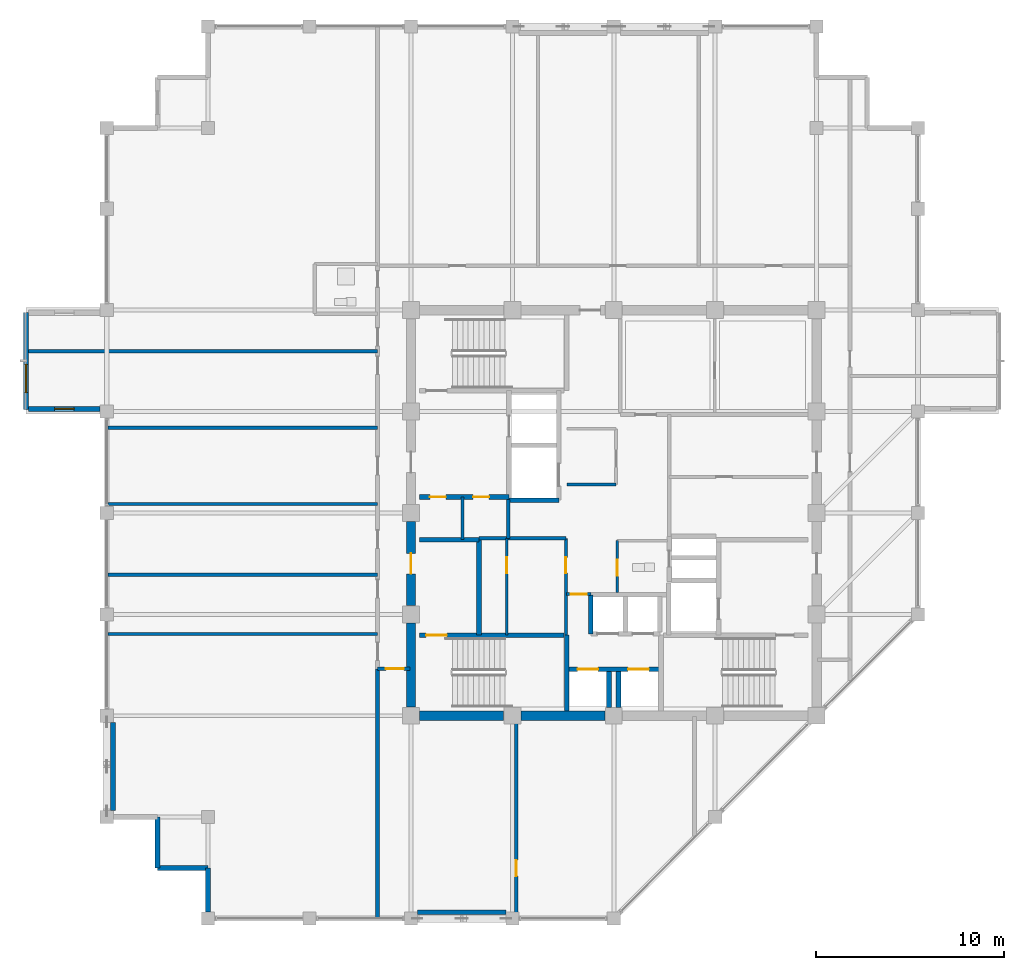
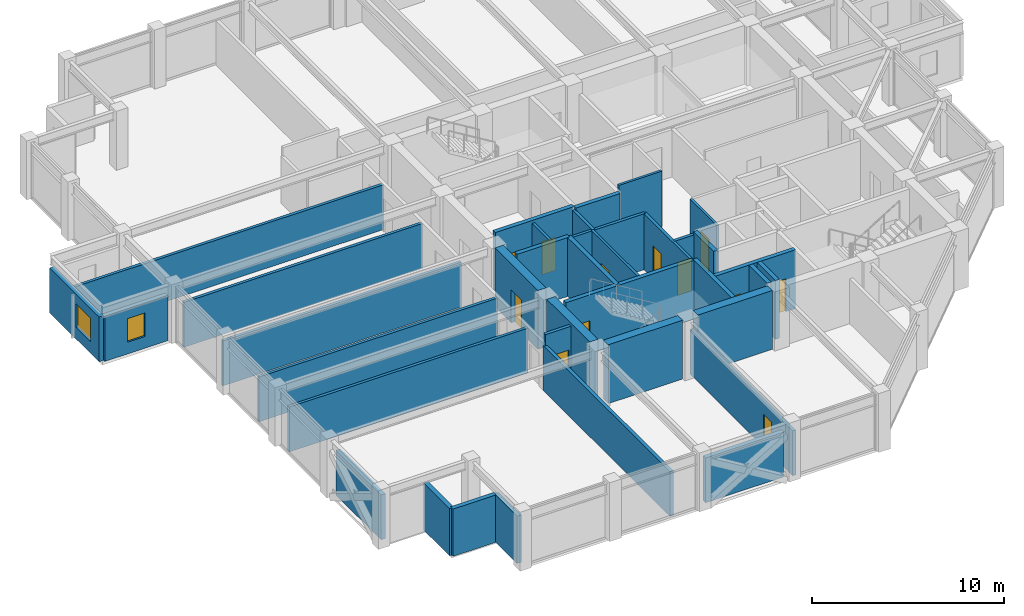
# One storey, part 25 of 31: 37 walls, 12 doors, 2 windows, 14 openings.
"""IFC4 building model written with IfcOpenShell, lengths in metres."""

from ifc_helpers import new_model, si_unit, direction, frame, frame_2d, origin, place, context, subcontext, project, spatial, rectangle, extrude, material, layer, layer_set, type_object, element, fill, save


model = new_model("IFC4")

# Units and contexts
model_context = context("Model", 3, precision=1e-05, world=origin(), true_north=direction((0.0, 1.0)))
body_context = subcontext(model_context, "Body", "Model", "MODEL_VIEW")
ifc_project = project(units=[si_unit("LENGTHUNIT", "METRE"), si_unit("AREAUNIT", "SQUARE_METRE"), si_unit("VOLUMEUNIT", "CUBIC_METRE"), si_unit("PLANEANGLEUNIT", "RADIAN"), si_unit("MASSUNIT", "GRAM", prefix="KILO")], contexts=[model_context])

# Site, building, storey
site_placement = place(None, origin())
site = spatial("IfcSite", under=ifc_project, at=site_placement, CompositionType="ELEMENT")
building_placement = place(site_placement, origin())
building = spatial("IfcBuilding", under=site, at=building_placement, Name="Surkhivell Harbour Commons", CompositionType="ELEMENT")
storey_placement = place(building_placement, frame((0.0, 0.0, 262.5)))
storey = spatial("IfcBuildingStorey", under=building, at=storey_placement, Name="L68", CompositionType="ELEMENT", Elevation=262.5)

# Walls
ifc_material_1 = material(Name="Concrete C50/60", Category="concrete")
ifc_layer_1 = layer(ifc_material_1, 0.5)
ifc_layer_set_1 = layer_set([ifc_layer_1], Name="Concrete C50/60")
wall_type_1 = type_object("IfcWallType", Name="WAL-CORE-500", PredefinedType="SHEAR", material=ifc_layer_set_1)
for number, where, z_axis, x_axis, name in (
    (1, (-10.340087890625, -10.800048828125, 0.0), (0.0, 0.0, 1.0), (1.0, 0.0, 0.0), "L68 Core Shear Wall South 1"),
    (2, (-10.800048828125, -10.340087890625, 0.0), (0.0, 0.0, 1.0), (0.0, 1.0, 0.0), "L68 Core Shear Wall West 1"),
    (3, (-4.93994140625, -10.800048828125, 0.0), (0.0, 0.0, 1.0), (1.0, 0.0, 0.0), "L68 Core Shear Wall South 2"),
):
    element("IfcWall", number, at=place(storey_placement, frame(where, z_axis=z_axis, x_axis=x_axis)), inside=storey, type_object=wall_type_1, Name=name, PredefinedType="SHEAR", context=body_context, shape_type="SweptSolid", body=[
        extrude(rectangle(XDim=4.47998046875, YDim=0.5, at=frame_2d((2.239990234375, 0.0))), origin(), (0.0, 0.0, 1.0), 3.75),
    ])

# Wall, opening, door
wall_1_placement = place(storey_placement, frame((-10.800048828125, -4.93994140625, 0.0), z_axis=(0.0, 0.0, 1.0), x_axis=(0.0, 1.0, 0.0)))
wall_1 = element("IfcWall", 4, at=wall_1_placement, inside=storey, type_object=wall_type_1, Name="L68 Core Shear Wall West 2", PredefinedType="SHEAR", context=body_context, shape_type="SweptSolid", body=[
    extrude(rectangle(XDim=4.47998046875, YDim=0.5, at=frame_2d((2.239990234375, 0.0))), origin(), (0.0, 0.0, 1.0), 3.75),
])
opening_1_placement = place(wall_1_placement, frame((1.68994140625, 0.0, 0.0)))
opening_1 = element("IfcOpeningElement", 5, at=opening_1_placement, cuts=wall_1, Name="Opening ID-2", PredefinedType="OPENING", context=body_context, shape_type="SweptSolid", body=[
    extrude(rectangle(XDim=1.10009765625, YDim=2.10009765625, at=frame_2d((0.550048828125, 1.050048828125))), frame((0.0, 0.260009765625, 0.0), z_axis=(0.0, -1.0, 0.0), x_axis=(1.0, 0.0, 0.0)), (0.0, 0.0, 1.0), 0.52001953125),
])
ifc_material_2 = material(Name="Hardwood-veneered fire-rated door leaf", Category="wood")
door_type_1 = type_object("IfcDoorType", Name="DOR-FD60-1100", OperationType="NOTDEFINED", PredefinedType="DOOR", material=ifc_material_2)
door_1_placement = place(opening_1_placement, origin())
door_1 = element("IfcDoor", 6, at=door_1_placement, inside=storey, type_object=door_type_1, Name="L68 Stair 3 Lobby Corridor Door", OperationType="SINGLE_SWING_LEFT", OverallHeight=2.10009765625, OverallWidth=1.10009765625, PredefinedType="DOOR", context=body_context, shape_type="SweptSolid", body=[
    extrude(rectangle(XDim=1.10009765625, YDim=2.10009765625, at=frame_2d((0.550048828125, 1.050048828125))), frame((0.0, 0.02490234375, 0.0), z_axis=(0.0, -1.0, 0.0), x_axis=(1.0, 0.0, 0.0)), (0.0, 0.0, 1.0), 0.050048828125),
])
fill(opening_1, door_1)

# Walls
ifc_material_3 = material(Name="Pale-metal insulated precast concrete C45/55", Category="concrete")
ifc_layer_2 = layer(ifc_material_3, 0.260009765625)
ifc_layer_set_2 = layer_set([ifc_layer_2], Name="Pale-metal insulated precast concrete C45/55")
wall_type_2 = type_object("IfcWallType", Name="WAL-EXT-MTL260", PredefinedType="STANDARD", material=ifc_layer_set_2)
wall_2_placement = place(storey_placement, frame((-10.451904296875, -21.264892578125, 0.0), z_axis=(0.0, 0.0, 1.0), x_axis=(1.0, 0.0, 0.0)))
element("IfcWall", 7, at=wall_2_placement, inside=storey, type_object=wall_type_2, Name="L68 Braced-Bay Insulated Spandrel Backing S", PredefinedType="STANDARD", context=body_context, shape_type="SweptSolid", body=[
    extrude(rectangle(XDim=4.703857421875, YDim=0.260009765625, at=frame_2d((2.35205078125, 0.0))), origin(), (0.0, 0.0, 1.0), 2.85693359375),
])
wall_3_placement = place(storey_placement, frame((-26.6650390625, -15.85205078125, 0.0), z_axis=(0.0, 0.0, 1.0), x_axis=(0.0, 1.0, 0.0)))
element("IfcWall", 8, at=wall_3_placement, inside=storey, type_object=wall_type_2, Name="L68 Braced-Bay Insulated Spandrel Backing W", PredefinedType="STANDARD", context=body_context, shape_type="SweptSolid", body=[
    extrude(rectangle(XDim=4.7041015625, YDim=0.260009765625, at=frame_2d((2.35205078125, 0.0))), origin(), (0.0, 0.0, 1.0), 2.85693359375),
])
for number, where, z_axis, x_axis, name in (
    (9, (-24.300048828125, -16.199951171875, 0.0), (0.0, 0.0, 1.0), (0.0, -1.0, 0.0), "L68 Serrated Corner Facade Wall 14"),
    (10, (-24.300048828125, -18.89990234375, 0.0), (0.0, 0.0, 1.0), (1.0, 0.0, 0.0), "L68 Serrated Corner Facade Wall 15"),
):
    element("IfcWall", number, at=place(storey_placement, frame(where, z_axis=z_axis, x_axis=x_axis)), inside=storey, type_object=wall_type_2, Name=name, PredefinedType="STANDARD", context=body_context, shape_type="SweptSolid", body=[
        extrude(rectangle(XDim=2.699951171875, YDim=0.260009765625, at=frame_2d((1.35009765625, 0.0))), origin(), (0.0, 0.0, 1.0), 3.012939453125),
    ])
wall_4_placement = place(storey_placement, frame((-21.60009765625, -18.89990234375, 0.0), z_axis=(0.0, 0.0, 1.0), x_axis=(0.0, -1.0, 0.0)))
element("IfcWall", 11, at=wall_4_placement, inside=storey, type_object=wall_type_2, Name="L68 Serrated Corner Facade Wall 16", PredefinedType="STANDARD", context=body_context, shape_type="SweptSolid", body=[
    extrude(rectangle(XDim=2.35205078125, YDim=0.260009765625, at=frame_2d((1.176025390625, 0.0))), origin(), (0.0, 0.0, 1.0), 3.012939453125),
])

# Wall, opening, window
ifc_material_4 = material(Name="Terracotta-clad reinforced concrete C45/55", Category="masonry")
ifc_layer_3 = layer(ifc_material_4, 0.280029296875)
ifc_layer_set_3 = layer_set([ifc_layer_3], Name="Terracotta-clad reinforced concrete C45/55")
wall_type_3 = type_object("IfcWallType", Name="WAL-EXT-TER280", PredefinedType="STANDARD", material=ifc_layer_set_3)
wall_5_placement = place(storey_placement, frame((-31.300048828125, 10.679931640625, 0.0), z_axis=(0.0, 0.0, 1.0), x_axis=(0.0, -1.0, 0.0)))
wall_5 = element("IfcWall", 12, at=wall_5_placement, inside=storey, type_object=wall_type_3, Name="L68 Coloured Box Front Wall 02", PredefinedType="STANDARD", context=body_context, shape_type="SweptSolid", body=[
    extrude(rectangle(XDim=5.159912109375, YDim=0.280029296875, at=frame_2d((2.580078125, 0.0))), origin(), (0.0, 0.0, 1.0), 2.85693359375),
])
opening_2_placement = place(wall_5_placement, frame((2.77490234375, 0.0, 0.75)))
opening_2 = element("IfcOpeningElement", 13, at=opening_2_placement, cuts=wall_5, Name="Opening WN-13", PredefinedType="OPENING", context=body_context, shape_type="SweptSolid", body=[
    extrude(rectangle(XDim=1.5, YDim=1.5, at=frame_2d((0.75, 0.75))), frame((0.0, 0.14990234375, 0.0), z_axis=(0.0, -1.0, 0.0), x_axis=(1.0, 0.0, 0.0)), (0.0, 0.0, 1.0), 0.300048828125),
])
ifc_material_5 = material(Name="Thermal-break aluminium frame and double low-E glazing", Category="aluminium")
window_type_1 = type_object("IfcWindowType", Name="WIN-BOX-1500x1500", PartitioningType="SINGLE_PANEL", PredefinedType="WINDOW", material=ifc_material_5)
window_1_placement = place(opening_2_placement, origin())
window_1 = element("IfcWindow", 14, at=window_1_placement, inside=storey, type_object=window_type_1, Name="L68 Coloured Box Square Window 02-1", OverallHeight=1.5, OverallWidth=1.5, PartitioningType="SINGLE_PANEL", PredefinedType="WINDOW", context=body_context, shape_type="SweptSolid", body=[
    extrude(rectangle(XDim=1.5, YDim=1.5, at=frame_2d((0.75, 0.75))), frame((0.0, 0.030029296875, 0.0), z_axis=(0.0, -1.0, 0.0), x_axis=(1.0, 0.0, 0.0)), (0.0, 0.0, 1.0), 0.06005859375),
])
fill(opening_2, window_1)

wall_6_placement = place(storey_placement, frame((-31.159912109375, 5.5400390625, 0.0), z_axis=(0.0, 0.0, 1.0), x_axis=(1.0, 0.0, 0.0)))
wall_6 = element("IfcWall", 15, at=wall_6_placement, inside=storey, type_object=wall_type_3, Name="L68 Coloured Box Return Wall 02S", PredefinedType="STANDARD", context=body_context, shape_type="SweptSolid", body=[
    extrude(rectangle(XDim=3.805908203125, YDim=0.280029296875, at=frame_2d((1.90283203125, 0.0))), origin(), (0.0, 0.0, 1.0), 2.85693359375),
])
opening_3_placement = place(wall_6_placement, frame((1.3779296875, 0.0, 0.75)))
opening_3 = element("IfcOpeningElement", 16, at=opening_3_placement, cuts=wall_6, Name="Opening WN-11", PredefinedType="OPENING", context=body_context, shape_type="SweptSolid", body=[
    extrude(rectangle(XDim=1.050048828125, YDim=1.5, at=frame_2d((0.52490234375, 0.75))), frame((0.0, 0.14990234375, 0.0), z_axis=(0.0, -1.0, 0.0), x_axis=(1.0, 0.0, 0.0)), (0.0, 0.0, 1.0), 0.300048828125),
])
window_type_2 = type_object("IfcWindowType", Name="WIN-SER-1050x1500", PartitioningType="SINGLE_PANEL", PredefinedType="WINDOW", material=ifc_material_5)
window_2_placement = place(opening_3_placement, origin())
window_2 = element("IfcWindow", 17, at=window_2_placement, inside=storey, type_object=window_type_2, Name="L68 Coloured Box Return Window 02S", OverallHeight=1.5, OverallWidth=1.050048828125, PartitioningType="SINGLE_PANEL", PredefinedType="WINDOW", context=body_context, shape_type="SweptSolid", body=[
    extrude(rectangle(XDim=1.050048828125, YDim=1.5, at=frame_2d((0.52490234375, 0.75))), frame((0.0, 0.030029296875, 0.0), z_axis=(0.0, -1.0, 0.0), x_axis=(1.0, 0.0, 0.0)), (0.0, 0.0, 1.0), 0.06005859375),
])
fill(opening_3, window_2)

# Wall, opening, door
ifc_material_6 = material(Name="Twin-stud acoustic fireboard partition", Category="other")
ifc_layer_4 = layer(ifc_material_6, 0.14990234375)
ifc_layer_set_4 = layer_set([ifc_layer_4], Name="Twin-stud acoustic fireboard partition")
wall_type_4 = type_object("IfcWallType", Name="WAL-INT-150", PredefinedType="PARTITIONING", material=ifc_layer_set_4)
wall_7_placement = place(storey_placement, frame((0.179931640625, -4.25, 0.0), z_axis=(0.0, 0.0, 1.0), x_axis=(0.0, 1.0, 0.0)))
wall_7 = element("IfcWall", 18, at=wall_7_placement, inside=storey, type_object=wall_type_4, Name="L68 Core Accessible WC West Wall", PredefinedType="PARTITIONING", context=body_context, shape_type="SweptSolid", body=[
    extrude(rectangle(XDim=2.77001953125, YDim=0.14990234375, at=frame_2d((1.385009765625, 0.0))), origin(), (0.0, 0.0, 1.0), 3.570068359375),
])
opening_4_placement = place(wall_7_placement, frame((0.89990234375, 0.0, 0.0)))
opening_4 = element("IfcOpeningElement", 19, at=opening_4_placement, cuts=wall_7, Name="Opening ID-6", PredefinedType="OPENING", context=body_context, shape_type="SweptSolid", body=[
    extrude(rectangle(XDim=0.85009765625, YDim=2.10009765625, at=frame_2d((0.425048828125, 1.050048828125))), frame((0.0, 0.0849609375, 0.0), z_axis=(0.0, -1.0, 0.0), x_axis=(1.0, 0.0, 0.0)), (0.0, 0.0, 1.0), 0.169921875),
])
door_type_2 = type_object("IfcDoorType", Name="DOR-FD30-850", OperationType="NOTDEFINED", PredefinedType="DOOR", material=ifc_material_2)
door_2_placement = place(opening_4_placement, origin())
door_2 = element("IfcDoor", 20, at=door_2_placement, inside=storey, type_object=door_type_2, Name="L68 Floor Accessible WC Door", OperationType="SINGLE_SWING_LEFT", OverallHeight=2.10009765625, OverallWidth=0.85009765625, PredefinedType="DOOR", context=body_context, shape_type="SweptSolid", body=[
    extrude(rectangle(XDim=0.85009765625, YDim=2.10009765625, at=frame_2d((0.425048828125, 1.050048828125))), frame((0.0, 0.02490234375, 0.0), z_axis=(0.0, -1.0, 0.0), x_axis=(1.0, 0.0, 0.0)), (0.0, 0.0, 1.0), 0.050048828125),
])
fill(opening_4, door_2)

wall_8_placement = place(storey_placement, frame((-5.699951171875, -6.510009765625, 0.0), z_axis=(0.0, 0.0, 1.0), x_axis=(0.0, 1.0, 0.0)))
wall_8 = element("IfcWall", 21, at=wall_8_placement, inside=storey, type_object=wall_type_4, Name="L68 Core Cut B Partition", PredefinedType="PARTITIONING", context=body_context, shape_type="SweptSolid", body=[
    extrude(rectangle(XDim=5.159912109375, YDim=0.14990234375, at=frame_2d((2.580078125, 0.0))), origin(), (0.0, 0.0, 1.0), 3.570068359375),
])
opening_5_placement = place(wall_8_placement, frame((3.300048828125, 0.0, 0.0)))
opening_5 = element("IfcOpeningElement", 22, at=opening_5_placement, cuts=wall_8, Name="Opening ID-6", PredefinedType="OPENING", context=body_context, shape_type="SweptSolid", body=[
    extrude(rectangle(XDim=0.85009765625, YDim=2.10009765625, at=frame_2d((0.425048828125, 1.050048828125))), frame((0.0, 0.0849609375, 0.0), z_axis=(0.0, -1.0, 0.0), x_axis=(1.0, 0.0, 0.0)), (0.0, 0.0, 1.0), 0.169921875),
])
door_3_placement = place(opening_5_placement, origin())
door_3 = element("IfcDoor", 23, at=door_3_placement, inside=storey, type_object=door_type_2, Name="L68 Core Focus Study Door", OperationType="SINGLE_SWING_RIGHT", OverallHeight=2.10009765625, OverallWidth=0.85009765625, PredefinedType="DOOR", context=body_context, shape_type="SweptSolid", body=[
    extrude(rectangle(XDim=0.85009765625, YDim=2.10009765625, at=frame_2d((0.425048828125, 1.050048828125))), frame((0.0, 0.02490234375, 0.0), z_axis=(0.0, -1.0, 0.0), x_axis=(1.0, 0.0, 0.0)), (0.0, 0.0, 1.0), 0.050048828125),
])
fill(opening_5, door_3)

# Walls
wall_9_placement = place(storey_placement, frame((-8.050048828125, -1.419921875, 0.0), z_axis=(0.0, 0.0, 1.0), x_axis=(0.0, 1.0, 0.0)))
element("IfcWall", 24, at=wall_9_placement, inside=storey, type_object=wall_type_4, Name="L68 West Seminar Booth Divider", PredefinedType="PARTITIONING", context=body_context, shape_type="SweptSolid", body=[
    extrude(rectangle(XDim=2.27001953125, YDim=0.14990234375, at=frame_2d((1.135009765625, 0.0))), origin(), (0.0, 0.0, 1.0), 3.570068359375),
])
wall_10_placement = place(storey_placement, frame((-2.47998046875, 1.52001953125, 0.0), z_axis=(0.0, 0.0, 1.0), x_axis=(1.0, 0.0, 0.0)))
element("IfcWall", 25, at=wall_10_placement, inside=storey, type_object=wall_type_4, Name="L68 Central Reading South Wall", PredefinedType="PARTITIONING", context=body_context, shape_type="SweptSolid", body=[
    extrude(rectangle(XDim=2.60009765625, YDim=0.14990234375, at=frame_2d((1.300048828125, 0.0))), origin(), (0.0, 0.0, 1.0), 3.570068359375),
])

# Wall, opening, door
ifc_material_7 = material(Name="High-density acoustic blockwork fire partition", Category="masonry")
ifc_layer_5 = layer(ifc_material_7, 0.175048828125)
ifc_layer_set_5 = layer_set([ifc_layer_5], Name="High-density acoustic blockwork fire partition")
wall_type_5 = type_object("IfcWallType", Name="WAL-INT-175", PredefinedType="PARTITIONING", material=ifc_layer_set_5)
wall_11_placement = place(storey_placement, frame((-2.550048828125, -6.510009765625, 0.0), z_axis=(0.0, 0.0, 1.0), x_axis=(0.0, 1.0, 0.0)))
wall_11 = element("IfcWall", 26, at=wall_11_placement, inside=storey, type_object=wall_type_5, Name="L68 Core Service Bay East Wall", PredefinedType="PARTITIONING", context=body_context, shape_type="SweptSolid", body=[
    extrude(rectangle(XDim=5.159912109375, YDim=0.175048828125, at=frame_2d((2.580078125, 0.0))), origin(), (0.0, 0.0, 1.0), 3.570068359375),
])
opening_6_placement = place(wall_11_placement, frame((3.300048828125, 0.0, 0.0)))
opening_6 = element("IfcOpeningElement", 27, at=opening_6_placement, cuts=wall_11, Name="Opening ID-6", PredefinedType="OPENING", context=body_context, shape_type="SweptSolid", body=[
    extrude(rectangle(XDim=0.85009765625, YDim=2.10009765625, at=frame_2d((0.425048828125, 1.050048828125))), frame((0.0, 0.097412109375, 0.0), z_axis=(0.0, -1.0, 0.0), x_axis=(1.0, 0.0, 0.0)), (0.0, 0.0, 1.0), 0.195068359375),
])
door_4_placement = place(opening_6_placement, origin())
door_4 = element("IfcDoor", 28, at=door_4_placement, inside=storey, type_object=door_type_2, Name="L68 Core Music Door", OperationType="SINGLE_SWING_LEFT", OverallHeight=2.10009765625, OverallWidth=0.85009765625, PredefinedType="DOOR", context=body_context, shape_type="SweptSolid", body=[
    extrude(rectangle(XDim=0.85009765625, YDim=2.10009765625, at=frame_2d((0.425048828125, 1.050048828125))), frame((0.0, 0.02490234375, 0.0), z_axis=(0.0, -1.0, 0.0), x_axis=(1.0, 0.0, 0.0)), (0.0, 0.0, 1.0), 0.050048828125),
])
fill(opening_6, door_4)

# Walls
wall_12_placement = place(storey_placement, frame((-7.179931640625, -1.35009765625, 0.0), z_axis=(0.0, 0.0, 1.0), x_axis=(1.0, 0.0, 0.0)))
element("IfcWall", 29, at=wall_12_placement, inside=storey, type_object=wall_type_5, Name="L68 Core Service Bay North Wall", PredefinedType="PARTITIONING", context=body_context, shape_type="SweptSolid", body=[
    extrude(rectangle(XDim=4.6298828125, YDim=0.175048828125, at=frame_2d((2.31494140625, 0.0))), origin(), (0.0, 0.0, 1.0), 3.570068359375),
])
wall_13_placement = place(storey_placement, frame((-5.6201171875, -1.35009765625, 0.0), z_axis=(0.0, 0.0, 1.0), x_axis=(0.0, 1.0, 0.0)))
element("IfcWall", 30, at=wall_13_placement, inside=storey, type_object=wall_type_5, Name="L68 West Core Bay East Wall", PredefinedType="PARTITIONING", context=body_context, shape_type="SweptSolid", body=[
    extrude(rectangle(XDim=2.070068359375, YDim=0.175048828125, at=frame_2d((1.03515625, 0.0))), origin(), (0.0, 0.0, 1.0), 3.570068359375),
])

# Wall, opening, door
wall_14_placement = place(storey_placement, frame((-2.52001953125, -4.320068359375, 0.0), z_axis=(0.0, 0.0, 1.0), x_axis=(1.0, 0.0, 0.0)))
wall_14 = element("IfcWall", 31, at=wall_14_placement, inside=storey, type_object=wall_type_5, Name="L68 High-Rise Lobby North Portal Wall", PredefinedType="PARTITIONING", context=body_context, shape_type="SweptSolid", body=[
    extrude(rectangle(XDim=1.300048828125, YDim=0.175048828125, at=frame_2d((0.64990234375, 0.0))), origin(), (0.0, 0.0, 1.0), 3.570068359375),
])
opening_7_placement = place(wall_14_placement, frame((0.219970703125, 0.0, 0.0)))
opening_7 = element("IfcOpeningElement", 32, at=opening_7_placement, cuts=wall_14, Name="Opening ID-6", PredefinedType="OPENING", context=body_context, shape_type="SweptSolid", body=[
    extrude(rectangle(XDim=0.85009765625, YDim=2.10009765625, at=frame_2d((0.425048828125, 1.050048828125))), frame((0.0, 0.097412109375, 0.0), z_axis=(0.0, -1.0, 0.0), x_axis=(1.0, 0.0, 0.0)), (0.0, 0.0, 1.0), 0.195068359375),
])
door_5_placement = place(opening_7_placement, origin())
door_5 = element("IfcDoor", 33, at=door_5_placement, inside=storey, type_object=door_type_2, Name="L68 High-Rise Lift Lobby North Door", OperationType="SINGLE_SWING_LEFT", OverallHeight=2.10009765625, OverallWidth=0.85009765625, PredefinedType="DOOR", context=body_context, shape_type="SweptSolid", body=[
    extrude(rectangle(XDim=0.85009765625, YDim=2.10009765625, at=frame_2d((0.425048828125, 1.050048828125))), frame((0.0, 0.02490234375, 0.0), z_axis=(0.0, -1.0, 0.0), x_axis=(1.0, 0.0, 0.0)), (0.0, 0.0, 1.0), 0.050048828125),
])
fill(opening_7, door_5)

# Walls
for number, where, z_axis, x_axis, name in (
    (34, (-26.93994140625, -3.2900390625, 0.0), (0.0, 0.0, 1.0), (1.0, 0.0, 0.0), "L68 West Partition BDP1"),
    (35, (-26.93994140625, 0.47998046875, 0.0), (0.0, 0.0, 1.0), (1.0, 0.0, 0.0), "L68 West Partition BDP2"),
    (36, (-26.93994140625, 4.5400390625, 0.0), (0.0, 0.0, 1.0), (1.0, 0.0, 0.0), "L68 West Partition BDP3"),
    (37, (-26.93994140625, -6.449951171875, 0.0), (0.0, 0.0, 1.0), (1.0, 0.0, 0.0), "L68 West Partition PBOT"),
):
    element("IfcWall", number, at=place(storey_placement, frame(where, z_axis=z_axis, x_axis=x_axis)), inside=storey, type_object=wall_type_5, Name=name, PredefinedType="PARTITIONING", context=body_context, shape_type="SweptSolid", body=[
        extrude(rectangle(XDim=14.35986328125, YDim=0.175048828125, at=frame_2d((7.179931640625, 0.0))), origin(), (0.0, 0.0, 1.0), 2.85693359375),
    ])
wall_15_placement = place(storey_placement, frame((-31.239990234375, 8.610107421875, 0.0), z_axis=(0.0, 0.0, 1.0), x_axis=(1.0, 0.0, 0.0)))
element("IfcWall", 38, at=wall_15_placement, inside=storey, type_object=wall_type_5, Name="L68 West Partition PTOP", PredefinedType="PARTITIONING", context=body_context, shape_type="SweptSolid", body=[
    extrude(rectangle(XDim=18.659912109375, YDim=0.175048828125, at=frame_2d((9.330078125, 0.0))), origin(), (0.0, 0.0, 1.0), 2.85693359375),
])

# Wall, opening, door
ifc_material_8 = material(Name="Autoclaved aerated concrete blockwork and fire plaster", Category="masonry")
ifc_layer_6 = layer(ifc_material_8, 0.199951171875)
ifc_layer_set_6 = layer_set([ifc_layer_6], Name="Autoclaved aerated concrete blockwork and fire plaster")
wall_type_6 = type_object("IfcWallType", Name="WAL-INT-200", PredefinedType="PARTITIONING", material=ifc_layer_set_6)
wall_16_placement = place(storey_placement, frame((-5.199951171875, -21.5400390625, 0.0), z_axis=(0.0, 0.0, 1.0), x_axis=(0.0, 1.0, 0.0)))
wall_16 = element("IfcWall", 39, at=wall_16_placement, inside=storey, type_object=wall_type_6, Name="L68 South Wing Mid Partition", PredefinedType="PARTITIONING", context=body_context, shape_type="SweptSolid", body=[
    extrude(rectangle(XDim=10.68994140625, YDim=0.199951171875, at=frame_2d((5.344970703125, 0.0))), origin(), (0.0, 0.0, 1.0), 2.85693359375),
])
opening_8_placement = place(wall_16_placement, frame((2.199951171875, 0.0, 0.0)))
opening_8 = element("IfcOpeningElement", 40, at=opening_8_placement, cuts=wall_16, Name="Opening ID-6", PredefinedType="OPENING", context=body_context, shape_type="SweptSolid", body=[
    extrude(rectangle(XDim=0.85009765625, YDim=2.10009765625, at=frame_2d((0.425048828125, 1.050048828125))), frame((0.0, 0.10986328125, 0.0), z_axis=(0.0, -1.0, 0.0), x_axis=(1.0, 0.0, 0.0)), (0.0, 0.0, 1.0), 0.219970703125),
])
door_6_placement = place(opening_8_placement, origin())
door_6 = element("IfcDoor", 41, at=door_6_placement, inside=storey, type_object=door_type_2, Name="L68 South Seminar Door", OperationType="SINGLE_SWING_LEFT", OverallHeight=2.10009765625, OverallWidth=0.85009765625, PredefinedType="DOOR", context=body_context, shape_type="SweptSolid", body=[
    extrude(rectangle(XDim=0.85009765625, YDim=2.10009765625, at=frame_2d((0.425048828125, 1.050048828125))), frame((0.0, 0.02490234375, 0.0), z_axis=(0.0, -1.0, 0.0), x_axis=(1.0, 0.0, 0.0)), (0.0, 0.0, 1.0), 0.050048828125),
])
fill(opening_8, door_6)

# Wall
wall_17_placement = place(storey_placement, frame((-12.580078125, -21.5400390625, 0.0), z_axis=(0.0, 0.0, 1.0), x_axis=(0.0, 1.0, 0.0)))
element("IfcWall", 42, at=wall_17_placement, inside=storey, type_object=wall_type_6, Name="L68 South Hall West Divider", PredefinedType="PARTITIONING", context=body_context, shape_type="SweptSolid", body=[
    extrude(rectangle(XDim=13.239990234375, YDim=0.199951171875, at=frame_2d((6.6201171875, 0.0))), origin(), (0.0, 0.0, 1.0), 2.85693359375),
])

# Wall, opening, door
wall_18_placement = place(storey_placement, frame((-12.580078125, -8.300048828125, 0.0), z_axis=(0.0, 0.0, 1.0), x_axis=(1.0, 0.0, 0.0)))
wall_18 = element("IfcWall", 43, at=wall_18_placement, inside=storey, type_object=wall_type_6, Name="L68 West Corridor South Portal Wall", PredefinedType="PARTITIONING", context=body_context, shape_type="SweptSolid", body=[
    extrude(rectangle(XDim=1.72998046875, YDim=0.199951171875, at=frame_2d((0.864990234375, 0.0))), origin(), (0.0, 0.0, 1.0), 3.570068359375),
])
opening_9_placement = place(wall_18_placement, frame((0.449951171875, 0.0, 0.0)))
opening_9 = element("IfcOpeningElement", 44, at=opening_9_placement, cuts=wall_18, Name="Opening ID-4", PredefinedType="OPENING", context=body_context, shape_type="SweptSolid", body=[
    extrude(rectangle(XDim=0.949951171875, YDim=2.10009765625, at=frame_2d((0.47509765625, 1.050048828125))), frame((0.0, 0.10986328125, 0.0), z_axis=(0.0, -1.0, 0.0), x_axis=(1.0, 0.0, 0.0)), (0.0, 0.0, 1.0), 0.219970703125),
])
door_type_3 = type_object("IfcDoorType", Name="DOR-FD60-950", OperationType="NOTDEFINED", PredefinedType="DOOR", material=ifc_material_2)
door_7_placement = place(opening_9_placement, origin())
door_7 = element("IfcDoor", 45, at=door_7_placement, inside=storey, type_object=door_type_3, Name="L68 South Lounge Door", OperationType="SINGLE_SWING_RIGHT", OverallHeight=2.10009765625, OverallWidth=0.949951171875, PredefinedType="DOOR", context=body_context, shape_type="SweptSolid", body=[
    extrude(rectangle(XDim=0.949951171875, YDim=2.10009765625, at=frame_2d((0.47509765625, 1.050048828125))), frame((0.0, 0.02490234375, 0.0), z_axis=(0.0, -1.0, 0.0), x_axis=(1.0, 0.0, 0.0)), (0.0, 0.0, 1.0), 0.050048828125),
])
fill(opening_9, door_7)

# Wall, openings, doors
ifc_layer_7 = layer(ifc_material_1, 0.25)
ifc_layer_set_7 = layer_set([ifc_layer_7], Name="Concrete C50/60")
wall_type_7 = type_object("IfcWallType", Name="WAL-SHAFT-250", PredefinedType="SHEAR", material=ifc_layer_set_7)
wall_19_placement = place(storey_placement, frame((-10.340087890625, 0.85009765625, 0.0), z_axis=(0.0, 0.0, 1.0), x_axis=(1.0, 0.0, 0.0)))
wall_19 = element("IfcWall", 46, at=wall_19_placement, inside=storey, type_object=wall_type_7, Name="L68 Firefighting Lobby 1 South Wall", PredefinedType="SHEAR", context=body_context, shape_type="SweptSolid", body=[
    extrude(rectangle(XDim=4.760009765625, YDim=0.25, at=frame_2d((2.3798828125, 0.0))), origin(), (0.0, 0.0, 1.0), 3.75),
])
opening_10_placement = place(wall_19_placement, frame((0.550048828125, 0.0, 0.0)))
opening_10 = element("IfcOpeningElement", 47, at=opening_10_placement, cuts=wall_19, Name="Opening ID-6", PredefinedType="OPENING", context=body_context, shape_type="SweptSolid", body=[
    extrude(rectangle(XDim=0.85009765625, YDim=2.10009765625, at=frame_2d((0.425048828125, 1.050048828125))), frame((0.0, 0.135009765625, 0.0), z_axis=(0.0, -1.0, 0.0), x_axis=(1.0, 0.0, 0.0)), (0.0, 0.0, 1.0), 0.27001953125),
])
opening_11_placement = place(wall_19_placement, frame((2.85009765625, 0.0, 0.0)))
opening_11 = element("IfcOpeningElement", 48, at=opening_11_placement, cuts=wall_19, Name="Opening ID-6", PredefinedType="OPENING", context=body_context, shape_type="SweptSolid", body=[
    extrude(rectangle(XDim=0.85009765625, YDim=2.10009765625, at=frame_2d((0.425048828125, 1.050048828125))), frame((0.0, 0.135009765625, 0.0), z_axis=(0.0, -1.0, 0.0), x_axis=(1.0, 0.0, 0.0)), (0.0, 0.0, 1.0), 0.27001953125),
])
door_8_placement = place(opening_10_placement, origin())
door_8 = element("IfcDoor", 49, at=door_8_placement, inside=storey, type_object=door_type_2, Name="L68 West Seminar 1 Door", OperationType="SINGLE_SWING_LEFT", OverallHeight=2.10009765625, OverallWidth=0.85009765625, PredefinedType="DOOR", context=body_context, shape_type="SweptSolid", body=[
    extrude(rectangle(XDim=0.85009765625, YDim=2.10009765625, at=frame_2d((0.425048828125, 1.050048828125))), frame((0.0, 0.02490234375, 0.0), z_axis=(0.0, -1.0, 0.0), x_axis=(1.0, 0.0, 0.0)), (0.0, 0.0, 1.0), 0.050048828125),
])
fill(opening_10, door_8)
door_9_placement = place(opening_11_placement, origin())
door_9 = element("IfcDoor", 50, at=door_9_placement, inside=storey, type_object=door_type_2, Name="L68 West Seminar 2 Door", OperationType="SINGLE_SWING_RIGHT", OverallHeight=2.10009765625, OverallWidth=0.85009765625, PredefinedType="DOOR", context=body_context, shape_type="SweptSolid", body=[
    extrude(rectangle(XDim=0.85009765625, YDim=2.10009765625, at=frame_2d((0.425048828125, 1.050048828125))), frame((0.0, 0.02490234375, 0.0), z_axis=(0.0, -1.0, 0.0), x_axis=(1.0, 0.0, 0.0)), (0.0, 0.0, 1.0), 0.050048828125),
])
fill(opening_11, door_9)

# Walls
for number, where, z_axis, x_axis, name in (
    (51, (-0.25, -10.35009765625, 0.0), (0.0, 0.0, 1.0), (0.0, 1.0, 0.0), "L68 High-Rise Side Wall S"),
    (52, (0.25, -10.35009765625, 0.0), (0.0, 0.0, 1.0), (0.0, 1.0, 0.0), "L68 High-Rise Side Wall S"),
):
    element("IfcWall", number, at=place(storey_placement, frame(where, z_axis=z_axis, x_axis=x_axis)), inside=storey, type_object=wall_type_7, Name=name, PredefinedType="SHEAR", context=body_context, shape_type="SweptSolid", body=[
        extrude(rectangle(XDim=1.91015625, YDim=0.25, at=frame_2d((0.955078125, 0.0))), origin(), (0.0, 0.0, 1.0), 3.75),
    ])
wall_20_placement = place(storey_placement, frame((-1.219970703125, -6.43994140625, 0.0), z_axis=(0.0, 0.0, 1.0), x_axis=(0.0, 1.0, 0.0)))
element("IfcWall", 53, at=wall_20_placement, inside=storey, type_object=wall_type_7, Name="L68 High-Rise Passage East Shaft Wall", PredefinedType="SHEAR", context=body_context, shape_type="SweptSolid", body=[
    extrude(rectangle(XDim=2.079833984375, YDim=0.25, at=frame_2d((1.0400390625, 0.0))), origin(), (0.0, 0.0, 1.0), 3.75),
])

# Wall, openings, doors
wall_21_placement = place(storey_placement, frame((-2.47998046875, -8.320068359375, 0.0), z_axis=(0.0, 0.0, 1.0), x_axis=(1.0, 0.0, 0.0)))
wall_21 = element("IfcWall", 54, at=wall_21_placement, inside=storey, type_object=wall_type_7, Name="L68 High-Rise South Front Shaft Wall", PredefinedType="SHEAR", context=body_context, shape_type="SweptSolid", body=[
    extrude(rectangle(XDim=4.929931640625, YDim=0.25, at=frame_2d((2.46484375, 0.0))), origin(), (0.0, 0.0, 1.0), 3.75),
])
opening_12_placement = place(wall_21_placement, frame((0.550048828125, 0.0, 0.0)))
opening_12 = element("IfcOpeningElement", 55, at=opening_12_placement, cuts=wall_21, Name="Opening LD-1", PredefinedType="OPENING", context=body_context, shape_type="SweptSolid", body=[
    extrude(rectangle(XDim=1.10009765625, YDim=2.10009765625, at=frame_2d((0.550048828125, 1.050048828125))), frame((0.0, 0.135009765625, 0.0), z_axis=(0.0, -1.0, 0.0), x_axis=(1.0, 0.0, 0.0)), (0.0, 0.0, 1.0), 0.27001953125),
])
opening_13_placement = place(wall_21_placement, frame((3.25, 0.0, 0.0)))
opening_13 = element("IfcOpeningElement", 56, at=opening_13_placement, cuts=wall_21, Name="Opening LD-1", PredefinedType="OPENING", context=body_context, shape_type="SweptSolid", body=[
    extrude(rectangle(XDim=1.10009765625, YDim=2.10009765625, at=frame_2d((0.550048828125, 1.050048828125))), frame((0.0, 0.135009765625, 0.0), z_axis=(0.0, -1.0, 0.0), x_axis=(1.0, 0.0, 0.0)), (0.0, 0.0, 1.0), 0.27001953125),
])
ifc_material_9 = material(Name="Brushed stainless steel S355", Category="steel")
door_type_4 = type_object("IfcDoorType", Name="DOR-LD-1100", OperationType="SLIDING_TO_LEFT", PredefinedType="DOOR", material=ifc_material_9)
door_10_placement = place(opening_12_placement, origin())
door_10 = element("IfcDoor", 57, at=door_10_placement, inside=storey, type_object=door_type_4, Name="L68 Lift Landing Door LD-PH3", OperationType="SLIDING_TO_LEFT", OverallHeight=2.10009765625, OverallWidth=1.10009765625, PredefinedType="DOOR", context=body_context, shape_type="SweptSolid", body=[
    extrude(rectangle(XDim=1.10009765625, YDim=2.10009765625, at=frame_2d((0.550048828125, 1.050048828125))), frame((0.0, 0.02490234375, 0.0), z_axis=(0.0, -1.0, 0.0), x_axis=(1.0, 0.0, 0.0)), (0.0, 0.0, 1.0), 0.050048828125),
])
fill(opening_12, door_10)
door_11_placement = place(opening_13_placement, origin())
door_11 = element("IfcDoor", 58, at=door_11_placement, inside=storey, type_object=door_type_4, Name="L68 Lift Landing Door LD-PH4", OperationType="SLIDING_TO_LEFT", OverallHeight=2.10009765625, OverallWidth=1.10009765625, PredefinedType="DOOR", context=body_context, shape_type="SweptSolid", body=[
    extrude(rectangle(XDim=1.10009765625, YDim=2.10009765625, at=frame_2d((0.550048828125, 1.050048828125))), frame((0.0, 0.02490234375, 0.0), z_axis=(0.0, -1.0, 0.0), x_axis=(1.0, 0.0, 0.0)), (0.0, 0.0, 1.0), 0.050048828125),
])
fill(opening_13, door_11)

# Walls
wall_22_placement = place(storey_placement, frame((-2.510009765625, -10.550048828125, 0.0), z_axis=(0.0, 0.0, 1.0), x_axis=(0.0, 1.0, 0.0)))
element("IfcWall", 59, at=wall_22_placement, inside=storey, type_object=wall_type_7, Name="L68 Stair ST3 East Shear Wall", PredefinedType="SHEAR", context=body_context, shape_type="SweptSolid", body=[
    extrude(rectangle(XDim=4.0400390625, YDim=0.25, at=frame_2d((2.02001953125, 0.0))), origin(), (0.0, 0.0, 1.0), 3.75),
])
wall_23_placement = place(storey_placement, frame((-7.179931640625, -6.510009765625, 0.0), z_axis=(0.0, 0.0, 1.0), x_axis=(0.0, 1.0, 0.0)))
element("IfcWall", 60, at=wall_23_placement, inside=storey, type_object=wall_type_7, Name="L68 Stair 3 Lobby East Wall", PredefinedType="SHEAR", context=body_context, shape_type="SweptSolid", body=[
    extrude(rectangle(XDim=5.090087890625, YDim=0.25, at=frame_2d((2.544921875, 0.0))), origin(), (0.0, 0.0, 1.0), 3.75),
])
wall_24_placement = place(storey_placement, frame((-10.340087890625, -1.419921875, 0.0), z_axis=(0.0, 0.0, 1.0), x_axis=(1.0, 0.0, 0.0)))
element("IfcWall", 61, at=wall_24_placement, inside=storey, type_object=wall_type_7, Name="L68 Stair 3 Lobby North Wall", PredefinedType="SHEAR", context=body_context, shape_type="SweptSolid", body=[
    extrude(rectangle(XDim=3.16015625, YDim=0.25, at=frame_2d((1.580078125, 0.0))), origin(), (0.0, 0.0, 1.0), 3.75),
])

# Wall, opening, door
wall_25_placement = place(storey_placement, frame((-10.340087890625, -6.510009765625, 0.0), z_axis=(0.0, 0.0, 1.0), x_axis=(1.0, 0.0, 0.0)))
wall_25 = element("IfcWall", 62, at=wall_25_placement, inside=storey, type_object=wall_type_7, Name="L68 Stair ST3 North Shear Wall", PredefinedType="SHEAR", context=body_context, shape_type="SweptSolid", body=[
    extrude(rectangle(XDim=7.7001953125, YDim=0.25, at=frame_2d((3.85009765625, 0.0))), origin(), (0.0, 0.0, 1.0), 3.75),
])
opening_14_placement = place(wall_25_placement, frame((0.35009765625, 0.0, 0.0)))
opening_14 = element("IfcOpeningElement", 63, at=opening_14_placement, cuts=wall_25, Name="Opening ID-2", PredefinedType="OPENING", context=body_context, shape_type="SweptSolid", body=[
    extrude(rectangle(XDim=1.10009765625, YDim=2.10009765625, at=frame_2d((0.550048828125, 1.050048828125))), frame((0.0, 0.135009765625, 0.0), z_axis=(0.0, -1.0, 0.0), x_axis=(1.0, 0.0, 0.0)), (0.0, 0.0, 1.0), 0.27001953125),
])
door_12_placement = place(opening_14_placement, origin())
door_12 = element("IfcDoor", 64, at=door_12_placement, inside=storey, type_object=door_type_1, Name="L68 Stair ST3 Exit Door", OperationType="SINGLE_SWING_RIGHT", OverallHeight=2.10009765625, OverallWidth=1.10009765625, PredefinedType="DOOR", context=body_context, shape_type="SweptSolid", body=[
    extrude(rectangle(XDim=1.10009765625, YDim=2.10009765625, at=frame_2d((0.550048828125, 1.050048828125))), frame((0.0, 0.02490234375, 0.0), z_axis=(0.0, -1.0, 0.0), x_axis=(1.0, 0.0, 0.0)), (0.0, 0.0, 1.0), 0.050048828125),
])
fill(opening_14, door_12)

# Wall
wall_26_placement = place(storey_placement, frame((-5.580078125, 0.679931640625, 0.0), z_axis=(0.0, 0.0, 1.0), x_axis=(1.0, 0.0, 0.0)))
element("IfcWall", 65, at=wall_26_placement, inside=storey, type_object=wall_type_7, Name="L68 SVL1 South Shaft Wall", PredefinedType="SHEAR", context=body_context, shape_type="SweptSolid", body=[
    extrude(rectangle(XDim=2.650146484375, YDim=0.25, at=frame_2d((1.3251953125, 0.0))), origin(), (0.0, 0.0, 1.0), 3.75),
])

save(model, "model.ifc")
